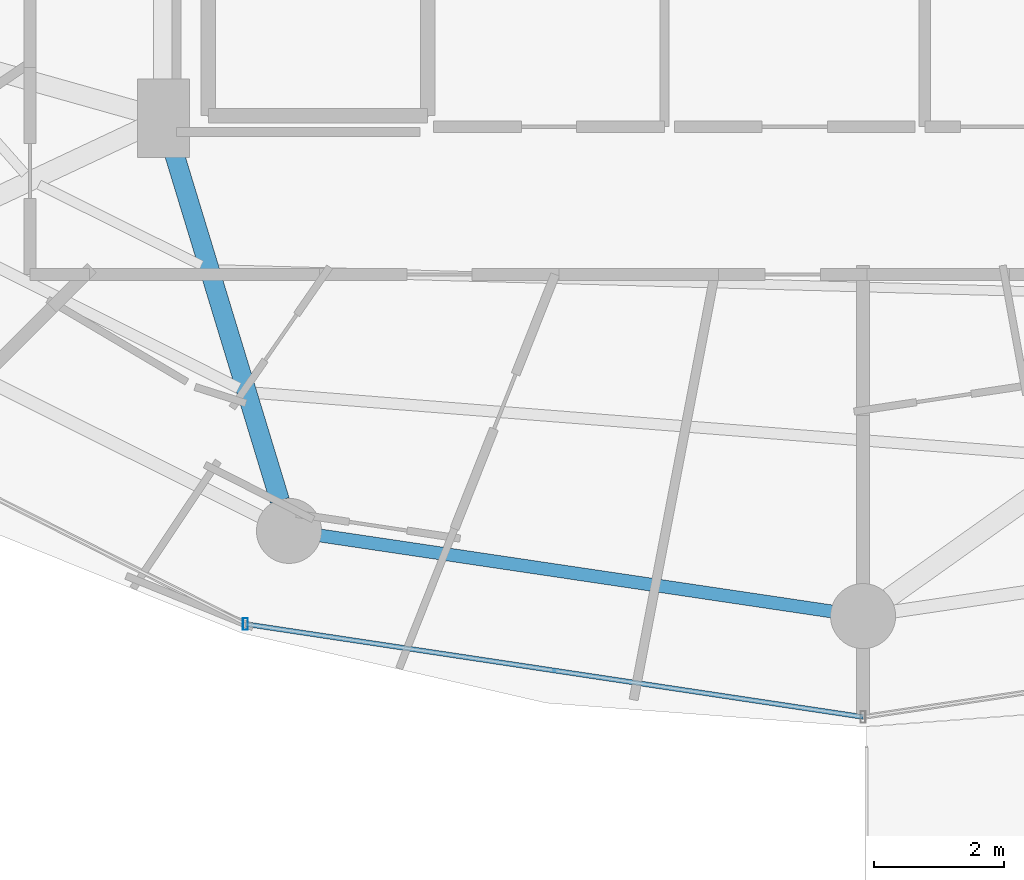
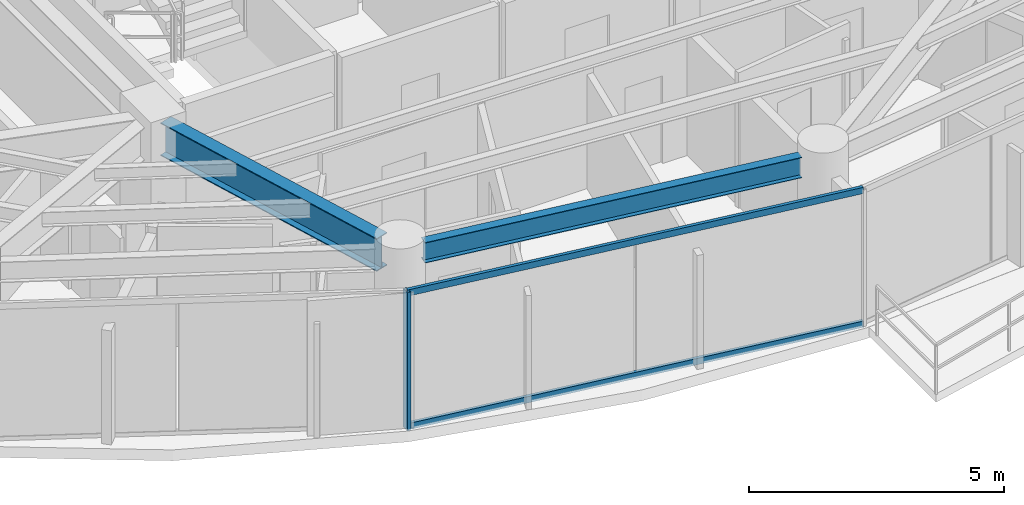
# One storey, part 5 of 31: 3 members, 2 beams, 1 element without a shape of its own.
"""IFC4 building model written with IfcOpenShell, lengths in metres."""

import ifcopenshell
import ifcopenshell.guid

model = None  # the IFC model being written
_history = None  # IfcOwnerHistory: only IFC2X3 demands one
_inside = {}  # id of a spatial element -> (the spatial element, [elements in it])
_under = {}  # id of a project, library or spatial element -> (it, [spatial elements below it])
_declared = {}  # id of a project -> (the project, [libraries it declares])
_typed = {}  # id of a type object -> (the type object, [elements of that type])
_made_of = {}  # id of a material, layer set ... -> (it, [elements and type objects made of it])


def new_model(schema):
    """Start an empty IFC model of exactly this schema.

    Asked for "IFC4X3", IfcOpenShell would pick the latest addendum, in which some entities
    have other attributes; the version numbers below select the first issue.
    IFC2X3 requires an IfcOwnerHistory on every rooted entity: one is made here for all.
    """
    global model, _history
    if schema == "IFC4X3":
        model = ifcopenshell.file(schema_version=(4, 3, 0, 0))
    else:
        model = ifcopenshell.file(schema=schema)
    _inside.clear()
    _under.clear()
    _declared.clear()
    _typed.clear()
    _made_of.clear()
    _history = None
    if model.schema == "IFC2X3":
        org = make("IfcOrganization", Name="unknown")
        user = make(
            "IfcPersonAndOrganization",
            ThePerson=make("IfcPerson", FamilyName="unknown"),
            TheOrganization=org,
        )
        app = make(
            "IfcApplication",
            ApplicationDeveloper=org,
            Version="unknown",
            ApplicationFullName="unknown",
            ApplicationIdentifier="unknown",
        )
        _history = make(
            "IfcOwnerHistory",
            OwningUser=user,
            OwningApplication=app,
            ChangeAction="ADDED",
            CreationDate=0,
        )
    return model


def make(cls, **values):
    """One entity of the class cls with the attributes given. An attribute that is None is left unset."""
    return model.create_entity(
        cls, **{name: value for name, value in values.items() if value is not None}
    )


def rooted(cls, **values):
    """An entity with a GlobalId (a new one), such as an element, a storey or a relation."""
    return make(cls, GlobalId=ifcopenshell.guid.new(), OwnerHistory=_history, **values)


def si_unit(unit_type, name, prefix=None):
    """IfcSIUnit, for example si_unit("LENGTHUNIT", "METRE", prefix="MILLI")."""
    return make("IfcSIUnit", UnitType=unit_type, Prefix=prefix, Name=name)


def assignment(units):
    """IfcUnitAssignment: the units of a project."""
    return None if units is None else make("IfcUnitAssignment", Units=units)


def point(xyz):
    """IfcCartesianPoint."""
    return None if xyz is None else make("IfcCartesianPoint", Coordinates=xyz)


def direction(xyz):
    """IfcDirection."""
    return None if xyz is None else make("IfcDirection", DirectionRatios=xyz)


def frame(location, z_axis=None, x_axis=None):
    """IfcAxis2Placement3D, a coordinate frame: its origin and axes. An axis left out is left unset."""
    return make(
        "IfcAxis2Placement3D",
        Location=point(location),
        Axis=direction(z_axis),
        RefDirection=direction(x_axis),
    )


def frame_2d(location, x_axis=None):
    """IfcAxis2Placement2D, a coordinate frame in the plane: its origin and x axis."""
    return make(
        "IfcAxis2Placement2D", Location=point(location), RefDirection=direction(x_axis)
    )


def origin():
    """The frame at (0, 0, 0) with its axes left unset."""
    return frame((0.0, 0.0, 0.0))


def origin_2d():
    """The frame at (0, 0) in the plane with its x axis left unset."""
    return frame_2d((0.0, 0.0))


def place(relative_to, where):
    """IfcLocalPlacement: puts the frame where relative to a parent placement (None: the world)."""
    return make(
        "IfcLocalPlacement", PlacementRelTo=relative_to, RelativePlacement=where
    )


def context(
    kind, dimensions, precision=None, world=None, true_north=None, identifier=None
):
    """IfcGeometricRepresentationContext, for example the 3D "Model" context."""
    return make(
        "IfcGeometricRepresentationContext",
        ContextIdentifier=identifier,
        ContextType=kind,
        CoordinateSpaceDimension=dimensions,
        Precision=precision,
        WorldCoordinateSystem=world,
        TrueNorth=true_north,
    )


def subcontext(parent, identifier, kind, view, scale=None):
    """IfcGeometricRepresentationSubContext, for example "Body" below "Model"."""
    return make(
        "IfcGeometricRepresentationSubContext",
        ContextIdentifier=identifier,
        ContextType=kind,
        ParentContext=parent,
        TargetScale=scale,
        TargetView=view,
    )


def project(units=None, contexts=None):
    """IfcProject with its units and contexts."""
    return rooted(
        "IfcProject",
        Name="project",
        RepresentationContexts=contexts,
        UnitsInContext=assignment(units),
    )


def spatial(cls, under=None, at=None, **own):
    """A site, building, storey or space (cls), placed at a placement, below another one or the project."""
    s = rooted(cls, ObjectPlacement=at, **own)
    if under is not None:
        _under.setdefault(under.id(), (under, []))[1].append(s)
    return s


def profile(cls, at=None, kind="AREA", **sizes):
    """A parametric profile (cls). Its sizes go by their IFC names, for example OverallWidth=200.0."""
    return make(cls, ProfileType=kind, Position=at, **sizes)


def hollow_rectangle(**sizes):
    """IfcRectangleHollowProfileDef."""
    return profile("IfcRectangleHollowProfileDef", **sizes)


def i_section(**sizes):
    """IfcIShapeProfileDef."""
    return profile("IfcIShapeProfileDef", **sizes)


def extrude(swept, where, along, depth):
    """IfcExtrudedAreaSolid: the profile swept, set in the frame where, extruded along a direction by depth."""
    return make(
        "IfcExtrudedAreaSolid",
        SweptArea=swept,
        Position=where,
        ExtrudedDirection=direction(along),
        Depth=depth,
    )


def shape(context_of_items, identifier, shape_type, items):
    """IfcShapeRepresentation: the items that make up one representation, for example the "Body"."""
    return make(
        "IfcShapeRepresentation",
        ContextOfItems=context_of_items,
        RepresentationIdentifier=identifier,
        RepresentationType=shape_type,
        Items=items,
    )


def material(Name=None, Category=None):
    """IfcMaterial."""
    return make("IfcMaterial", Name=Name, Category=Category)


def material_profile(
    of_material, cross_section, Name=None, Category=None, Priority=None
):
    """IfcMaterialProfile: a cross section and its material."""
    return make(
        "IfcMaterialProfile",
        Name=Name,
        Material=of_material,
        Profile=cross_section,
        Priority=Priority,
        Category=Category,
    )


def profile_set(profiles, Name=None, composite=None):
    """IfcMaterialProfileSet."""
    return make(
        "IfcMaterialProfileSet",
        Name=Name,
        MaterialProfiles=profiles,
        CompositeProfile=composite,
    )


def made_of(thing, what):
    """Note that an element or type object is made of a material, layer set ...; save() writes the relation."""
    if what is not None:
        _made_of.setdefault(what.id(), (what, []))[1].append(thing)
    return thing


def type_object(cls, material=None, **own):
    """A type object (cls), such as IfcWallType, which elements share."""
    return made_of(rooted(cls, **own), material)


def element(
    cls,
    number,
    at=None,
    inside=None,
    cuts=None,
    type_object=None,
    material=None,
    context=None,
    identifier="Body",
    shape_type=None,
    held_by="IfcProductDefinitionShape",
    body=None,
    shapes=None,
    **own,
):
    """One element of the class cls, such as IfcWall. Its Tag is "e" and its number.

    at: its placement. inside: the storey or other place that contains it. cuts: it is an
    opening in that element (IfcRelVoidsElement). A single representation is given by context,
    identifier, shape_type and body (its items); several are given by shapes. held_by: the class
    of the entity that holds the representations. save() writes the other relations.
    """
    e = rooted(cls, Tag="e%d" % number, ObjectPlacement=at, **own)
    if body is not None:
        shapes = [shape(context, identifier, shape_type, body)]
    if shapes is not None:
        e.Representation = make(held_by, Representations=shapes)
    if inside is not None:
        _inside.setdefault(inside.id(), (inside, []))[1].append(e)
    if cuts is not None:
        rooted(
            "IfcRelVoidsElement", RelatingBuildingElement=cuts, RelatedOpeningElement=e
        )
    if type_object is not None:
        _typed.setdefault(type_object.id(), (type_object, []))[1].append(e)
    return made_of(e, material)


def aggregate(whole, parts):
    """IfcRelAggregates: a whole, such as a stair, and the parts it consists of."""
    return rooted("IfcRelAggregates", RelatingObject=whole, RelatedObjects=parts)


def save(model, path):
    """Write the relations noted so far, then the file.

    IfcRelAggregates (storeys below a building ...), IfcRelContainedInSpatialStructure (elements
    in a storey), IfcRelDefinesByType, IfcRelAssociatesMaterial and IfcRelDeclares: one each for
    every whole, place, type object, material and project.
    """
    for whole, parts in _under.values():
        aggregate(whole, parts)
    for where, things in _inside.values():
        rooted(
            "IfcRelContainedInSpatialStructure",
            RelatedElements=things,
            RelatingStructure=where,
        )
    for kind, things in _typed.values():
        rooted("IfcRelDefinesByType", RelatedObjects=things, RelatingType=kind)
    for what, things in _made_of.values():
        rooted("IfcRelAssociatesMaterial", RelatedObjects=things, RelatingMaterial=what)
    for by, libraries in _declared.values():
        rooted("IfcRelDeclares", RelatingContext=by, RelatedDefinitions=libraries)
    model.write(path)


model = new_model("IFC4")

# Units and contexts
model_context = context("Model", 3, precision=1e-05, world=origin(), true_north=direction((0.0, 1.0)))
body_context = subcontext(model_context, "Body", "Model", "MODEL_VIEW")
ifc_project = project(units=[si_unit("LENGTHUNIT", "METRE"), si_unit("AREAUNIT", "SQUARE_METRE"), si_unit("VOLUMEUNIT", "CUBIC_METRE"), si_unit("PLANEANGLEUNIT", "RADIAN"), si_unit("MASSUNIT", "GRAM", prefix="KILO")], contexts=[model_context])

# Site, building, storey
site_placement = place(None, origin())
site = spatial("IfcSite", under=ifc_project, at=site_placement, CompositionType="ELEMENT")
building_placement = place(site_placement, origin())
building = spatial("IfcBuilding", under=site, at=building_placement, Name="Vorneva Point Tower", CompositionType="ELEMENT")
storey_placement = place(building_placement, frame((0.0, 0.0, 129.10009765625)))
storey = spatial("IfcBuildingStorey", under=building, at=storey_placement, Name="L34", CompositionType="ELEMENT", Elevation=129.10009765625)

# Beams
ifc_material_1 = material(Name="Steel S355", Category="steel")
ifc_material_profile_1 = material_profile(ifc_material_1, i_section(OverallWidth=0.300048828125, OverallDepth=0.7880859375, WebThickness=0.014404296875, FlangeThickness=0.02197265625, at=origin_2d()), Name="80Sh1")
ifc_profile_set_1 = profile_set([ifc_material_profile_1], Name="Steel S355")
beam_type_1 = type_object("IfcBeamType", Name="BM-GRD-80Sh1", PredefinedType="USERDEFINED", material=ifc_profile_set_1)
beam_1_placement = place(storey_placement, frame((29.037109375, 10.576171875, 2.845947265625), z_axis=(-0.291049382966, 0.95670803105, 0.0), x_axis=(-0.95670803105, -0.291049382966, 0.0)))
element("IfcBeam", 1, at=beam_1_placement, inside=storey, type_object=beam_type_1, Name="L34 Radial Primary Girder 12", ObjectType="GIRDER", PredefinedType="USERDEFINED", context=body_context, shape_type="SweptSolid", body=[
    extrude(i_section(OverallWidth=0.300048828125, OverallDepth=0.7880859375, WebThickness=0.014404296875, FlangeThickness=0.02197265625, at=origin_2d()), origin(), (0.0, 0.0, 1.0), 5.799560546875),
])
ifc_material_profile_2 = material_profile(ifc_material_1, i_section(OverallWidth=0.199951171875, OverallDepth=0.491943359375, WebThickness=0.0087890625, FlangeThickness=0.011962890625, at=origin_2d()), Name="50B1")
ifc_profile_set_2 = profile_set([ifc_material_profile_2], Name="Steel S355")
beam_type_2 = type_object("IfcBeamType", Name="BM-SPN-50B1", PredefinedType="SPANDREL", material=ifc_profile_set_2)
beam_2_placement = place(storey_placement, frame((29.65869140625, 10.0380859375, 2.993896484375), z_axis=(0.989161199046, -0.146833655211, 0.0), x_axis=(0.146833655211, 0.989161199046, 0.0)))
element("IfcBeam", 2, at=beam_2_placement, inside=storey, type_object=beam_type_2, Name="L34 Perimeter Spandrel Ring Beam 12", PredefinedType="SPANDREL", context=body_context, shape_type="SweptSolid", body=[
    extrude(i_section(OverallWidth=0.199951171875, OverallDepth=0.491943359375, WebThickness=0.0087890625, FlangeThickness=0.011962890625, at=origin_2d()), origin(), (0.0, 0.0, 1.0), 7.94775390625),
])

# Curtain wall, members
ifc_material_2 = material(Name="Pale anodised aluminium", Category="aluminium")
curtain_wall_type = type_object("IfcCurtainWallType", Name="CW-RES-SYS", PredefinedType="NOTDEFINED", material=ifc_material_2)
curtain_wall_placement = place(storey_placement, origin())
curtain_wall = element("IfcCurtainWall", 3, at=curtain_wall_placement, inside=storey, type_object=curtain_wall_type, Name="L34 Unitised Curtain Wall CW-L34-R04", PredefinedType="NOTDEFINED")
ifc_material_profile_3 = material_profile(ifc_material_2, hollow_rectangle(XDim=0.074951171875, YDim=0.179931640625, WallThickness=0.00390625, at=origin_2d()), Name="AL-MUL 180x75x4")
ifc_profile_set_3 = profile_set([ifc_material_profile_3], Name="Pale anodised aluminium")
member_type_1 = type_object("IfcMemberType", Name="CW-MUL-180", PredefinedType="MULLION", material=ifc_profile_set_3)
member_1_placement = place(storey_placement, frame((28.509521484375, 8.67724609375, -0.0400390625), z_axis=(0.0, 0.0, 1.0), x_axis=(1.0, 0.0, 0.0)))
member_1 = element("IfcMember", 4, at=member_1_placement, type_object=member_type_1, Name="CW-L34-R04 Mullion 02", PredefinedType="MULLION", context=body_context, shape_type="SweptSolid", body=[
    extrude(hollow_rectangle(XDim=0.074951171875, YDim=0.179931640625, WallThickness=0.00390625, at=origin_2d()), origin(), (0.0, 0.0, 1.0), 3.31005859375),
])
ifc_material_profile_4 = material_profile(ifc_material_2, hollow_rectangle(XDim=0.074951171875, YDim=0.14990234375, WallThickness=0.00390625, at=origin_2d()), Name="AL-TRN 150x75x4")
ifc_profile_set_4 = profile_set([ifc_material_profile_4], Name="Pale anodised aluminium")
member_type_2 = type_object("IfcMemberType", Name="CW-TRN-150", PredefinedType="USERDEFINED", material=ifc_profile_set_4)
member_2_placement = place(storey_placement, frame((28.509521484375, 8.67724609375, 0.02001953125), z_axis=(0.988880117727, -0.148714870687, 0.0), x_axis=(0.148714870687, 0.988880117727, 0.0)))
member_2 = element("IfcMember", 5, at=member_2_placement, type_object=member_type_2, Name="CW-L34-R04 Transom 02.1", ObjectType="TRANSOM", PredefinedType="USERDEFINED", context=body_context, shape_type="SweptSolid", body=[
    extrude(hollow_rectangle(XDim=0.074951171875, YDim=0.14990234375, WallThickness=0.00390625, at=origin_2d()), origin(), (0.0, 0.0, 1.0), 9.59716796875),
])
member_3_placement = place(storey_placement, frame((28.509521484375, 8.67724609375, 3.219970703125), z_axis=(0.988880117727, -0.148714870687, 0.0), x_axis=(0.148714870687, 0.988880117727, 0.0)))
member_3 = element("IfcMember", 6, at=member_3_placement, type_object=member_type_2, Name="CW-L34-R04 Transom 02.2", ObjectType="TRANSOM", PredefinedType="USERDEFINED", context=body_context, shape_type="SweptSolid", body=[
    extrude(hollow_rectangle(XDim=0.074951171875, YDim=0.14990234375, WallThickness=0.00390625, at=origin_2d()), origin(), (0.0, 0.0, 1.0), 9.59716796875),
])
aggregate(curtain_wall, [member_1, member_2, member_3])

save(model, "model.ifc")
